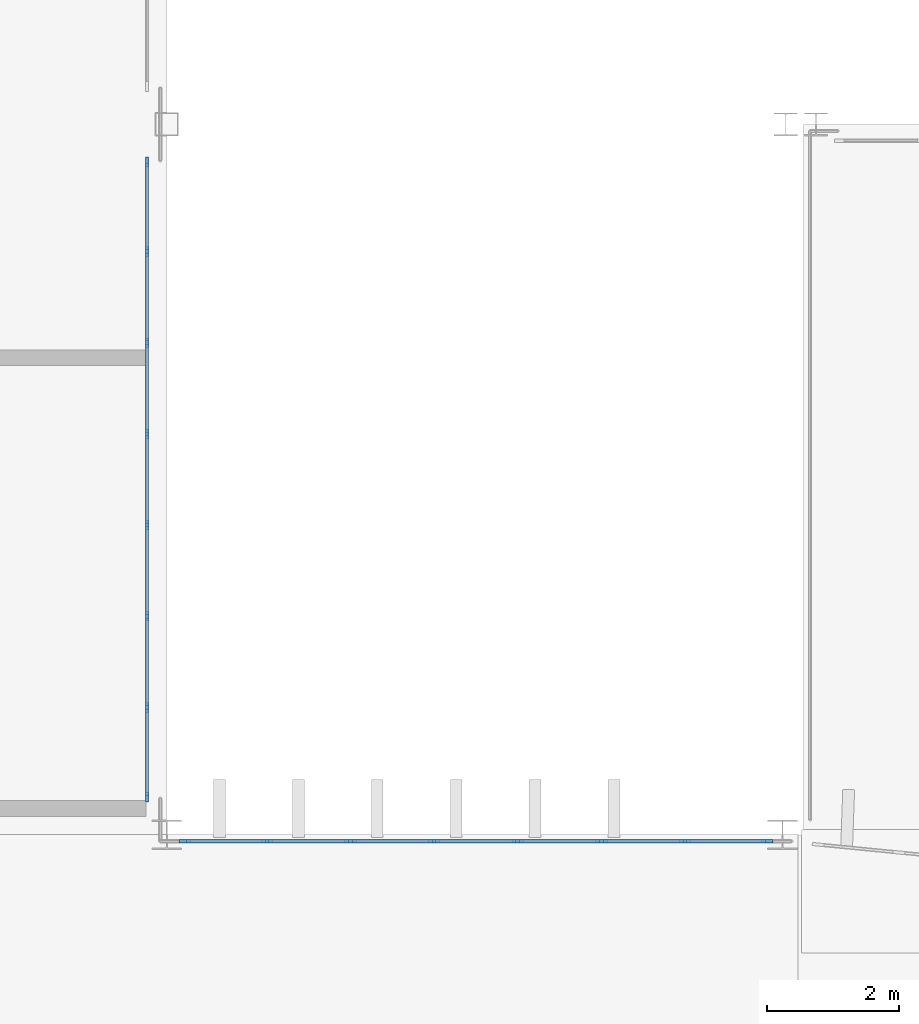
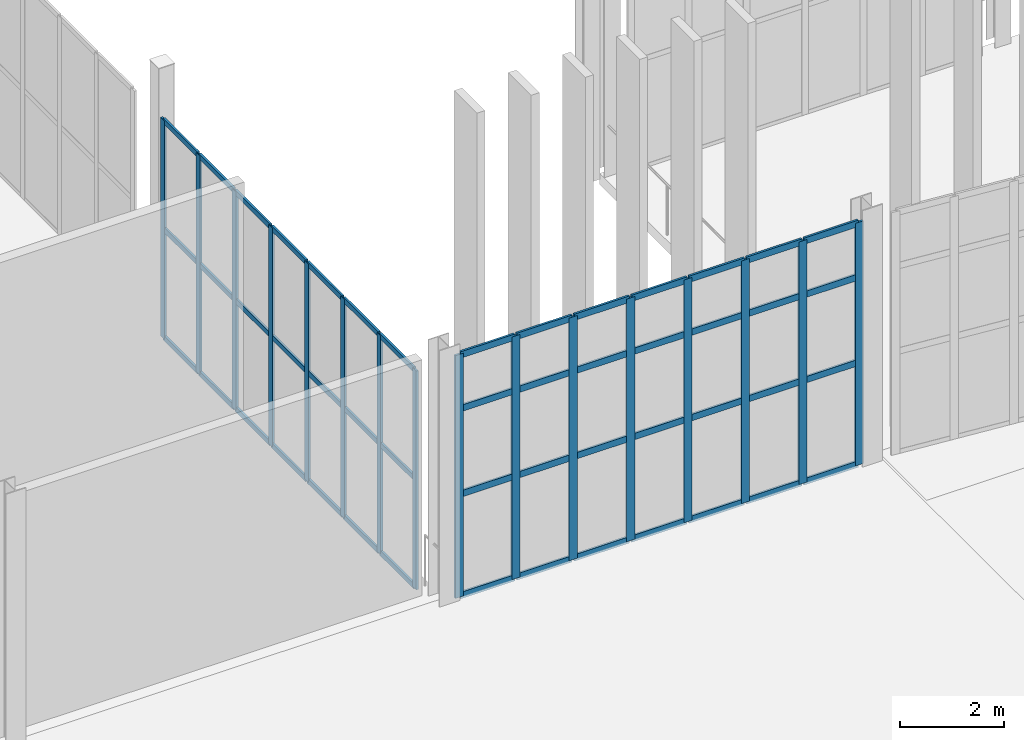
# One storey, part 61 of 139: 65 members, 2 elements without a shape of their own.
"""IFC4 building model written with IfcOpenShell, lengths in metres."""

from ifc_helpers import new_model, si_unit, direction, frame, origin, origin_2d, place, context, subcontext, project, spatial, rectangle, extrude, material, layer, layer_set, material_profile, profile_set, type_object, element, aggregate, save


model = new_model("IFC4")

# Units and contexts
model_context = context("Model", 3, precision=1e-05, world=origin(), true_north=direction((0.0, 1.0)))
body_context = subcontext(model_context, "Body", "Model", "MODEL_VIEW")
ifc_project = project(units=[si_unit("LENGTHUNIT", "METRE"), si_unit("AREAUNIT", "SQUARE_METRE"), si_unit("VOLUMEUNIT", "CUBIC_METRE"), si_unit("PLANEANGLEUNIT", "RADIAN"), si_unit("MASSUNIT", "GRAM", prefix="KILO")], contexts=[model_context])

# Site, building, storey
site_placement = place(None, origin())
site = spatial("IfcSite", under=ifc_project, at=site_placement, CompositionType="ELEMENT")
building_placement = place(site_placement, origin())
building = spatial("IfcBuilding", under=site, at=building_placement, Name="Yeouljin Market Hall", CompositionType="ELEMENT")
storey_placement = place(building_placement, origin())
storey = spatial("IfcBuildingStorey", under=building, at=storey_placement, Name="L00", CompositionType="ELEMENT", Elevation=0.0)

# Curtain wall, members
ifc_material_1 = material(Name="Thermally Broken Aluminium", Category="aluminium")
ifc_layer_1 = layer(ifc_material_1, 0.14990234375)
ifc_layer_set_1 = layer_set([ifc_layer_1], Name="Thermally Broken Aluminium")
curtain_wall_type_1 = type_object("IfcCurtainWallType", Name="CW_WingStorefront_System", PredefinedType="USERDEFINED", material=ifc_layer_set_1)
curtain_wall_1_placement = place(storey_placement, origin())
curtain_wall_1 = element("IfcCurtainWall", 1, at=curtain_wall_1_placement, inside=storey, type_object=curtain_wall_type_1, Name="Curtain wall CW-CRT-L00-20", ObjectType="CURTAIN WALL", PredefinedType="USERDEFINED")
ifc_material_2 = material(Name="Thermally Broken Aluminium", Category="aluminium")
ifc_material_profile_1 = material_profile(ifc_material_2, rectangle(XDim=0.048095703125, YDim=0.14990234375, at=origin_2d()), Name="CW-MULL-48x150")
ifc_profile_set_1 = profile_set([ifc_material_profile_1], Name="Thermally Broken Aluminium")
member_type_1 = type_object("IfcMemberType", Name="CWMullion_48x150", PredefinedType="MULLION", material=ifc_profile_set_1)
member_1_placement = place(storey_placement, frame((131.10009765625, 88.22607421875, 0.0), z_axis=(0.0, 0.0, 1.0), x_axis=(1.0, 0.0, 0.0)))
member_1 = element("IfcMember", 2, at=member_1_placement, type_object=member_type_1, Name="CW-04 mullion 1", PredefinedType="MULLION", context=body_context, shape_type="SweptSolid", body=[
    extrude(rectangle(XDim=0.048095703125, YDim=0.14990234375, at=origin_2d()), origin(), (0.0, 0.0, 1.0), 5.1201171875),
])
member_2_placement = place(storey_placement, frame((131.10009765625, 86.8642578125, 0.0), z_axis=(0.0, 0.0, 1.0), x_axis=(1.0, 0.0, 0.0)))
member_2 = element("IfcMember", 3, at=member_2_placement, type_object=member_type_1, Name="CW-04 mullion 2", PredefinedType="MULLION", context=body_context, shape_type="SweptSolid", body=[
    extrude(rectangle(XDim=0.048095703125, YDim=0.14990234375, at=origin_2d()), origin(), (0.0, 0.0, 1.0), 5.1201171875),
])
member_3_placement = place(storey_placement, frame((131.10009765625, 85.478515625, 0.0), z_axis=(0.0, 0.0, 1.0), x_axis=(1.0, 0.0, 0.0)))
member_3 = element("IfcMember", 4, at=member_3_placement, type_object=member_type_1, Name="CW-04 mullion 3", PredefinedType="MULLION", context=body_context, shape_type="SweptSolid", body=[
    extrude(rectangle(XDim=0.048095703125, YDim=0.14990234375, at=origin_2d()), origin(), (0.0, 0.0, 1.0), 5.1201171875),
])
member_4_placement = place(storey_placement, frame((131.10009765625, 84.0927734375, 0.0), z_axis=(0.0, 0.0, 1.0), x_axis=(1.0, 0.0, 0.0)))
member_4 = element("IfcMember", 5, at=member_4_placement, type_object=member_type_1, Name="CW-04 mullion 4", PredefinedType="MULLION", context=body_context, shape_type="SweptSolid", body=[
    extrude(rectangle(XDim=0.048095703125, YDim=0.14990234375, at=origin_2d()), origin(), (0.0, 0.0, 1.0), 5.1201171875),
])
member_5_placement = place(storey_placement, frame((131.10009765625, 82.70703125, 0.0), z_axis=(0.0, 0.0, 1.0), x_axis=(1.0, 0.0, 0.0)))
member_5 = element("IfcMember", 6, at=member_5_placement, type_object=member_type_1, Name="CW-04 mullion 5", PredefinedType="MULLION", context=body_context, shape_type="SweptSolid", body=[
    extrude(rectangle(XDim=0.048095703125, YDim=0.14990234375, at=origin_2d()), origin(), (0.0, 0.0, 1.0), 5.1201171875),
])
member_6_placement = place(storey_placement, frame((131.10009765625, 81.321533203125, 0.0), z_axis=(0.0, 0.0, 1.0), x_axis=(1.0, 0.0, 0.0)))
member_6 = element("IfcMember", 7, at=member_6_placement, type_object=member_type_1, Name="CW-04 mullion 6", PredefinedType="MULLION", context=body_context, shape_type="SweptSolid", body=[
    extrude(rectangle(XDim=0.048095703125, YDim=0.14990234375, at=origin_2d()), origin(), (0.0, 0.0, 1.0), 5.1201171875),
])
member_7_placement = place(storey_placement, frame((131.10009765625, 79.935791015625, 0.0), z_axis=(0.0, 0.0, 1.0), x_axis=(1.0, 0.0, 0.0)))
member_7 = element("IfcMember", 8, at=member_7_placement, type_object=member_type_1, Name="CW-04 mullion 7", PredefinedType="MULLION", context=body_context, shape_type="SweptSolid", body=[
    extrude(rectangle(XDim=0.048095703125, YDim=0.14990234375, at=origin_2d()), origin(), (0.0, 0.0, 1.0), 5.1201171875),
])
member_8_placement = place(storey_placement, frame((131.10009765625, 78.573974609375, 0.0), z_axis=(0.0, 0.0, 1.0), x_axis=(1.0, 0.0, 0.0)))
member_8 = element("IfcMember", 9, at=member_8_placement, type_object=member_type_1, Name="CW-04 mullion 8", PredefinedType="MULLION", context=body_context, shape_type="SweptSolid", body=[
    extrude(rectangle(XDim=0.048095703125, YDim=0.14990234375, at=origin_2d()), origin(), (0.0, 0.0, 1.0), 5.1201171875),
])

ifc_material_3 = material(Name="Thermally Broken Aluminium", Category="aluminium")
ifc_layer_2 = layer(ifc_material_3, 0.179931640625)
ifc_layer_set_2 = layer_set([ifc_layer_2], Name="Thermally Broken Aluminium")
curtain_wall_type_2 = type_object("IfcCurtainWallType", Name="CW_HallNave_System", PredefinedType="USERDEFINED", material=ifc_layer_set_2)
curtain_wall_2_placement = place(storey_placement, origin())
curtain_wall_2 = element("IfcCurtainWall", 10, at=curtain_wall_2_placement, inside=storey, type_object=curtain_wall_type_2, Name="Curtain wall CW-V1N-L00-11", ObjectType="CURTAIN WALL", PredefinedType="USERDEFINED")
ifc_material_4 = material(Name="Thermally Broken Aluminium", Category="aluminium")
ifc_material_profile_2 = material_profile(ifc_material_4, rectangle(XDim=0.048095703125, YDim=0.179931640625, at=origin_2d()), Name="CW-MULL-48x180")
ifc_profile_set_2 = profile_set([ifc_material_profile_2], Name="Thermally Broken Aluminium")
member_type_2 = type_object("IfcMemberType", Name="CWMullion_48x180", PredefinedType="MULLION", material=ifc_profile_set_2)
member_9_placement = place(storey_placement, frame((131.674072265625, 77.89990234375, 0.0), z_axis=(0.0, 0.0, 1.0), x_axis=(0.0, 1.0, 0.0)))
member_9 = element("IfcMember", 11, at=member_9_placement, type_object=member_type_2, Name="CW-01 mullion 1", PredefinedType="MULLION", context=body_context, shape_type="SweptSolid", body=[
    extrude(rectangle(XDim=0.048095703125, YDim=0.179931640625, at=origin_2d()), origin(), (0.0, 0.0, 1.0), 5.679931640625),
])
member_10_placement = place(storey_placement, frame((132.92138671875, 77.89990234375, 0.0), z_axis=(0.0, 0.0, 1.0), x_axis=(0.0, 1.0, 0.0)))
member_10 = element("IfcMember", 12, at=member_10_placement, type_object=member_type_2, Name="CW-01 mullion 2", PredefinedType="MULLION", context=body_context, shape_type="SweptSolid", body=[
    extrude(rectangle(XDim=0.048095703125, YDim=0.179931640625, at=origin_2d()), origin(), (0.0, 0.0, 1.0), 5.679931640625),
])
member_11_placement = place(storey_placement, frame((134.19287109375, 77.89990234375, 0.0), z_axis=(0.0, 0.0, 1.0), x_axis=(0.0, 1.0, 0.0)))
member_11 = element("IfcMember", 13, at=member_11_placement, type_object=member_type_2, Name="CW-01 mullion 3", PredefinedType="MULLION", context=body_context, shape_type="SweptSolid", body=[
    extrude(rectangle(XDim=0.048095703125, YDim=0.179931640625, at=origin_2d()), origin(), (0.0, 0.0, 1.0), 5.679931640625),
])
member_12_placement = place(storey_placement, frame((135.46435546875, 77.89990234375, 0.0), z_axis=(0.0, 0.0, 1.0), x_axis=(0.0, 1.0, 0.0)))
member_12 = element("IfcMember", 14, at=member_12_placement, type_object=member_type_2, Name="CW-01 mullion 4", PredefinedType="MULLION", context=body_context, shape_type="SweptSolid", body=[
    extrude(rectangle(XDim=0.048095703125, YDim=0.179931640625, at=origin_2d()), origin(), (0.0, 0.0, 1.0), 5.679931640625),
])
member_13_placement = place(storey_placement, frame((136.735595703125, 77.89990234375, 0.0), z_axis=(0.0, 0.0, 1.0), x_axis=(0.0, 1.0, 0.0)))
member_13 = element("IfcMember", 15, at=member_13_placement, type_object=member_type_2, Name="CW-01 mullion 5", PredefinedType="MULLION", context=body_context, shape_type="SweptSolid", body=[
    extrude(rectangle(XDim=0.048095703125, YDim=0.179931640625, at=origin_2d()), origin(), (0.0, 0.0, 1.0), 5.679931640625),
])
member_14_placement = place(storey_placement, frame((138.007080078125, 77.89990234375, 0.0), z_axis=(0.0, 0.0, 1.0), x_axis=(0.0, 1.0, 0.0)))
member_14 = element("IfcMember", 16, at=member_14_placement, type_object=member_type_2, Name="CW-01 mullion 6", PredefinedType="MULLION", context=body_context, shape_type="SweptSolid", body=[
    extrude(rectangle(XDim=0.048095703125, YDim=0.179931640625, at=origin_2d()), origin(), (0.0, 0.0, 1.0), 5.679931640625),
])
member_15_placement = place(storey_placement, frame((139.278564453125, 77.89990234375, 0.0), z_axis=(0.0, 0.0, 1.0), x_axis=(0.0, 1.0, 0.0)))
member_15 = element("IfcMember", 17, at=member_15_placement, type_object=member_type_2, Name="CW-01 mullion 7", PredefinedType="MULLION", context=body_context, shape_type="SweptSolid", body=[
    extrude(rectangle(XDim=0.048095703125, YDim=0.179931640625, at=origin_2d()), origin(), (0.0, 0.0, 1.0), 5.679931640625),
])
member_16_placement = place(storey_placement, frame((140.52587890625, 77.89990234375, 0.0), z_axis=(0.0, 0.0, 1.0), x_axis=(0.0, 1.0, 0.0)))
member_16 = element("IfcMember", 18, at=member_16_placement, type_object=member_type_2, Name="CW-01 mullion 8", PredefinedType="MULLION", context=body_context, shape_type="SweptSolid", body=[
    extrude(rectangle(XDim=0.048095703125, YDim=0.179931640625, at=origin_2d()), origin(), (0.0, 0.0, 1.0), 5.679931640625),
])

# Member
ifc_material_5 = material(Name="Thermally Broken Aluminium", Category="aluminium")
ifc_material_profile_3 = material_profile(ifc_material_5, rectangle(XDim=0.048095703125, YDim=0.1201171875, at=origin_2d()), Name="CW-TRAN-48x120")
ifc_profile_set_3 = profile_set([ifc_material_profile_3], Name="Thermally Broken Aluminium")
member_type_3 = type_object("IfcMemberType", Name="CWTransom_48x120", PredefinedType="USERDEFINED", material=ifc_profile_set_3)
member_17_placement = place(storey_placement, frame((131.10009765625, 88.201904296875, 0.02392578125), z_axis=(0.0, -1.0, 0.0), x_axis=(1.0, 0.0, 0.0)))
member_17 = element("IfcMember", 19, at=member_17_placement, type_object=member_type_3, Name="CW-04 transom 1.1", ObjectType="TRANSOM", PredefinedType="USERDEFINED", context=body_context, shape_type="SweptSolid", body=[
    extrude(rectangle(XDim=0.048095703125, YDim=0.1201171875, at=origin_2d()), origin(), (0.0, 0.0, 1.0), 1.313720703125),
])

member_18_placement = place(storey_placement, frame((131.10009765625, 88.201904296875, 2.56005859375), z_axis=(0.0, -1.0, 0.0), x_axis=(1.0, 0.0, 0.0)))
member_18 = element("IfcMember", 20, at=member_18_placement, type_object=member_type_3, Name="CW-04 transom 1.2", ObjectType="TRANSOM", PredefinedType="USERDEFINED", context=body_context, shape_type="SweptSolid", body=[
    extrude(rectangle(XDim=0.048095703125, YDim=0.1201171875, at=origin_2d()), origin(), (0.0, 0.0, 1.0), 1.313720703125),
])

member_19_placement = place(storey_placement, frame((131.10009765625, 88.201904296875, 5.095947265625), z_axis=(0.0, -1.0, 0.0), x_axis=(1.0, 0.0, 0.0)))
member_19 = element("IfcMember", 21, at=member_19_placement, type_object=member_type_3, Name="CW-04 transom 1.3", ObjectType="TRANSOM", PredefinedType="USERDEFINED", context=body_context, shape_type="SweptSolid", body=[
    extrude(rectangle(XDim=0.048095703125, YDim=0.1201171875, at=origin_2d()), origin(), (0.0, 0.0, 1.0), 1.313720703125),
])

member_20_placement = place(storey_placement, frame((131.10009765625, 86.84033203125, 0.02392578125), z_axis=(0.0, -1.0, 0.0), x_axis=(1.0, 0.0, 0.0)))
member_20 = element("IfcMember", 22, at=member_20_placement, type_object=member_type_3, Name="CW-04 transom 2.1", ObjectType="TRANSOM", PredefinedType="USERDEFINED", context=body_context, shape_type="SweptSolid", body=[
    extrude(rectangle(XDim=0.048095703125, YDim=0.1201171875, at=origin_2d()), origin(), (0.0, 0.0, 1.0), 1.337646484375),
])

member_21_placement = place(storey_placement, frame((131.10009765625, 86.84033203125, 2.56005859375), z_axis=(0.0, -1.0, 0.0), x_axis=(1.0, 0.0, 0.0)))
member_21 = element("IfcMember", 23, at=member_21_placement, type_object=member_type_3, Name="CW-04 transom 2.2", ObjectType="TRANSOM", PredefinedType="USERDEFINED", context=body_context, shape_type="SweptSolid", body=[
    extrude(rectangle(XDim=0.048095703125, YDim=0.1201171875, at=origin_2d()), origin(), (0.0, 0.0, 1.0), 1.337646484375),
])

member_22_placement = place(storey_placement, frame((131.10009765625, 86.84033203125, 5.095947265625), z_axis=(0.0, -1.0, 0.0), x_axis=(1.0, 0.0, 0.0)))
member_22 = element("IfcMember", 24, at=member_22_placement, type_object=member_type_3, Name="CW-04 transom 2.3", ObjectType="TRANSOM", PredefinedType="USERDEFINED", context=body_context, shape_type="SweptSolid", body=[
    extrude(rectangle(XDim=0.048095703125, YDim=0.1201171875, at=origin_2d()), origin(), (0.0, 0.0, 1.0), 1.337646484375),
])

member_23_placement = place(storey_placement, frame((131.10009765625, 85.45458984375, 0.02392578125), z_axis=(0.0, -1.0, 0.0), x_axis=(1.0, 0.0, 0.0)))
member_23 = element("IfcMember", 25, at=member_23_placement, type_object=member_type_3, Name="CW-04 transom 3.1", ObjectType="TRANSOM", PredefinedType="USERDEFINED", context=body_context, shape_type="SweptSolid", body=[
    extrude(rectangle(XDim=0.048095703125, YDim=0.1201171875, at=origin_2d()), origin(), (0.0, 0.0, 1.0), 1.337646484375),
])

member_24_placement = place(storey_placement, frame((131.10009765625, 85.45458984375, 2.56005859375), z_axis=(0.0, -1.0, 0.0), x_axis=(1.0, 0.0, 0.0)))
member_24 = element("IfcMember", 26, at=member_24_placement, type_object=member_type_3, Name="CW-04 transom 3.2", ObjectType="TRANSOM", PredefinedType="USERDEFINED", context=body_context, shape_type="SweptSolid", body=[
    extrude(rectangle(XDim=0.048095703125, YDim=0.1201171875, at=origin_2d()), origin(), (0.0, 0.0, 1.0), 1.337646484375),
])

member_25_placement = place(storey_placement, frame((131.10009765625, 85.45458984375, 5.095947265625), z_axis=(0.0, -1.0, 0.0), x_axis=(1.0, 0.0, 0.0)))
member_25 = element("IfcMember", 27, at=member_25_placement, type_object=member_type_3, Name="CW-04 transom 3.3", ObjectType="TRANSOM", PredefinedType="USERDEFINED", context=body_context, shape_type="SweptSolid", body=[
    extrude(rectangle(XDim=0.048095703125, YDim=0.1201171875, at=origin_2d()), origin(), (0.0, 0.0, 1.0), 1.337646484375),
])

member_26_placement = place(storey_placement, frame((131.10009765625, 84.06884765625, 0.02392578125), z_axis=(0.0, -1.0, 0.0), x_axis=(1.0, 0.0, 0.0)))
member_26 = element("IfcMember", 28, at=member_26_placement, type_object=member_type_3, Name="CW-04 transom 4.1", ObjectType="TRANSOM", PredefinedType="USERDEFINED", context=body_context, shape_type="SweptSolid", body=[
    extrude(rectangle(XDim=0.048095703125, YDim=0.1201171875, at=origin_2d()), origin(), (0.0, 0.0, 1.0), 1.337646484375),
])

member_27_placement = place(storey_placement, frame((131.10009765625, 84.06884765625, 2.56005859375), z_axis=(0.0, -1.0, 0.0), x_axis=(1.0, 0.0, 0.0)))
member_27 = element("IfcMember", 29, at=member_27_placement, type_object=member_type_3, Name="CW-04 transom 4.2", ObjectType="TRANSOM", PredefinedType="USERDEFINED", context=body_context, shape_type="SweptSolid", body=[
    extrude(rectangle(XDim=0.048095703125, YDim=0.1201171875, at=origin_2d()), origin(), (0.0, 0.0, 1.0), 1.337646484375),
])

member_28_placement = place(storey_placement, frame((131.10009765625, 84.06884765625, 5.095947265625), z_axis=(0.0, -1.0, 0.0), x_axis=(1.0, 0.0, 0.0)))
member_28 = element("IfcMember", 30, at=member_28_placement, type_object=member_type_3, Name="CW-04 transom 4.3", ObjectType="TRANSOM", PredefinedType="USERDEFINED", context=body_context, shape_type="SweptSolid", body=[
    extrude(rectangle(XDim=0.048095703125, YDim=0.1201171875, at=origin_2d()), origin(), (0.0, 0.0, 1.0), 1.337646484375),
])

member_29_placement = place(storey_placement, frame((131.10009765625, 82.68310546875, 0.02392578125), z_axis=(0.0, -1.0, 0.0), x_axis=(1.0, 0.0, 0.0)))
member_29 = element("IfcMember", 31, at=member_29_placement, type_object=member_type_3, Name="CW-04 transom 5.1", ObjectType="TRANSOM", PredefinedType="USERDEFINED", context=body_context, shape_type="SweptSolid", body=[
    extrude(rectangle(XDim=0.048095703125, YDim=0.1201171875, at=origin_2d()), origin(), (0.0, 0.0, 1.0), 1.337646484375),
])

member_30_placement = place(storey_placement, frame((131.10009765625, 82.68310546875, 2.56005859375), z_axis=(0.0, -1.0, 0.0), x_axis=(1.0, 0.0, 0.0)))
member_30 = element("IfcMember", 32, at=member_30_placement, type_object=member_type_3, Name="CW-04 transom 5.2", ObjectType="TRANSOM", PredefinedType="USERDEFINED", context=body_context, shape_type="SweptSolid", body=[
    extrude(rectangle(XDim=0.048095703125, YDim=0.1201171875, at=origin_2d()), origin(), (0.0, 0.0, 1.0), 1.337646484375),
])

member_31_placement = place(storey_placement, frame((131.10009765625, 82.68310546875, 5.095947265625), z_axis=(0.0, -1.0, 0.0), x_axis=(1.0, 0.0, 0.0)))
member_31 = element("IfcMember", 33, at=member_31_placement, type_object=member_type_3, Name="CW-04 transom 5.3", ObjectType="TRANSOM", PredefinedType="USERDEFINED", context=body_context, shape_type="SweptSolid", body=[
    extrude(rectangle(XDim=0.048095703125, YDim=0.1201171875, at=origin_2d()), origin(), (0.0, 0.0, 1.0), 1.337646484375),
])

member_32_placement = place(storey_placement, frame((131.10009765625, 81.29736328125, 0.02392578125), z_axis=(0.0, -1.0, 0.0), x_axis=(1.0, 0.0, 0.0)))
member_32 = element("IfcMember", 34, at=member_32_placement, type_object=member_type_3, Name="CW-04 transom 6.1", ObjectType="TRANSOM", PredefinedType="USERDEFINED", context=body_context, shape_type="SweptSolid", body=[
    extrude(rectangle(XDim=0.048095703125, YDim=0.1201171875, at=origin_2d()), origin(), (0.0, 0.0, 1.0), 1.337646484375),
])

member_33_placement = place(storey_placement, frame((131.10009765625, 81.29736328125, 2.56005859375), z_axis=(0.0, -1.0, 0.0), x_axis=(1.0, 0.0, 0.0)))
member_33 = element("IfcMember", 35, at=member_33_placement, type_object=member_type_3, Name="CW-04 transom 6.2", ObjectType="TRANSOM", PredefinedType="USERDEFINED", context=body_context, shape_type="SweptSolid", body=[
    extrude(rectangle(XDim=0.048095703125, YDim=0.1201171875, at=origin_2d()), origin(), (0.0, 0.0, 1.0), 1.337646484375),
])

member_34_placement = place(storey_placement, frame((131.10009765625, 81.29736328125, 5.095947265625), z_axis=(0.0, -1.0, 0.0), x_axis=(1.0, 0.0, 0.0)))
member_34 = element("IfcMember", 36, at=member_34_placement, type_object=member_type_3, Name="CW-04 transom 6.3", ObjectType="TRANSOM", PredefinedType="USERDEFINED", context=body_context, shape_type="SweptSolid", body=[
    extrude(rectangle(XDim=0.048095703125, YDim=0.1201171875, at=origin_2d()), origin(), (0.0, 0.0, 1.0), 1.337646484375),
])

member_35_placement = place(storey_placement, frame((131.10009765625, 79.91162109375, 0.02392578125), z_axis=(0.0, -1.0, 0.0), x_axis=(1.0, 0.0, 0.0)))
member_35 = element("IfcMember", 37, at=member_35_placement, type_object=member_type_3, Name="CW-04 transom 7.1", ObjectType="TRANSOM", PredefinedType="USERDEFINED", context=body_context, shape_type="SweptSolid", body=[
    extrude(rectangle(XDim=0.048095703125, YDim=0.1201171875, at=origin_2d()), origin(), (0.0, 0.0, 1.0), 1.313720703125),
])

member_36_placement = place(storey_placement, frame((131.10009765625, 79.91162109375, 2.56005859375), z_axis=(0.0, -1.0, 0.0), x_axis=(1.0, 0.0, 0.0)))
member_36 = element("IfcMember", 38, at=member_36_placement, type_object=member_type_3, Name="CW-04 transom 7.2", ObjectType="TRANSOM", PredefinedType="USERDEFINED", context=body_context, shape_type="SweptSolid", body=[
    extrude(rectangle(XDim=0.048095703125, YDim=0.1201171875, at=origin_2d()), origin(), (0.0, 0.0, 1.0), 1.313720703125),
])

member_37_placement = place(storey_placement, frame((131.10009765625, 79.91162109375, 5.095947265625), z_axis=(0.0, -1.0, 0.0), x_axis=(1.0, 0.0, 0.0)))
member_37 = element("IfcMember", 39, at=member_37_placement, type_object=member_type_3, Name="CW-04 transom 7.3", ObjectType="TRANSOM", PredefinedType="USERDEFINED", context=body_context, shape_type="SweptSolid", body=[
    extrude(rectangle(XDim=0.048095703125, YDim=0.1201171875, at=origin_2d()), origin(), (0.0, 0.0, 1.0), 1.313720703125),
])

aggregate(curtain_wall_1, [member_1, member_2, member_3, member_4, member_5, member_6, member_7, member_8, member_17, member_18, member_19, member_20, member_21, member_22, member_23, member_24, member_25, member_26, member_27, member_28, member_29, member_30, member_31, member_32, member_33, member_34, member_35, member_36, member_37])

ifc_material_6 = material(Name="Thermally Broken Aluminium", Category="aluminium")
ifc_material_profile_4 = material_profile(ifc_material_6, rectangle(XDim=0.048095703125, YDim=0.14990234375, at=origin_2d()), Name="CW-TRAN-48x150")
ifc_profile_set_4 = profile_set([ifc_material_profile_4], Name="Thermally Broken Aluminium")
member_type_4 = type_object("IfcMemberType", Name="CWTransom_48x150", PredefinedType="USERDEFINED", material=ifc_profile_set_4)
member_38_placement = place(storey_placement, frame((131.697998046875, 77.89990234375, 0.02392578125), z_axis=(1.0, 0.0, 0.0), x_axis=(0.0, 1.0, 0.0)))
member_38 = element("IfcMember", 40, at=member_38_placement, type_object=member_type_4, Name="CW-01 transom 1.1", ObjectType="TRANSOM", PredefinedType="USERDEFINED", context=body_context, shape_type="SweptSolid", body=[
    extrude(rectangle(XDim=0.048095703125, YDim=0.14990234375, at=origin_2d()), origin(), (0.0, 0.0, 1.0), 1.199462890625),
])

member_39_placement = place(storey_placement, frame((131.697998046875, 77.89990234375, 2.39990234375), z_axis=(1.0, 0.0, 0.0), x_axis=(0.0, 1.0, 0.0)))
member_39 = element("IfcMember", 41, at=member_39_placement, type_object=member_type_4, Name="CW-01 transom 1.2", ObjectType="TRANSOM", PredefinedType="USERDEFINED", context=body_context, shape_type="SweptSolid", body=[
    extrude(rectangle(XDim=0.048095703125, YDim=0.14990234375, at=origin_2d()), origin(), (0.0, 0.0, 1.0), 1.199462890625),
])

member_40_placement = place(storey_placement, frame((131.697998046875, 77.89990234375, 4.39990234375), z_axis=(1.0, 0.0, 0.0), x_axis=(0.0, 1.0, 0.0)))
member_40 = element("IfcMember", 42, at=member_40_placement, type_object=member_type_4, Name="CW-01 transom 1.3", ObjectType="TRANSOM", PredefinedType="USERDEFINED", context=body_context, shape_type="SweptSolid", body=[
    extrude(rectangle(XDim=0.048095703125, YDim=0.14990234375, at=origin_2d()), origin(), (0.0, 0.0, 1.0), 1.199462890625),
])

member_41_placement = place(storey_placement, frame((131.697998046875, 77.89990234375, 5.656005859375), z_axis=(1.0, 0.0, 0.0), x_axis=(0.0, 1.0, 0.0)))
member_41 = element("IfcMember", 43, at=member_41_placement, type_object=member_type_4, Name="CW-01 transom 1.4", ObjectType="TRANSOM", PredefinedType="USERDEFINED", context=body_context, shape_type="SweptSolid", body=[
    extrude(rectangle(XDim=0.048095703125, YDim=0.14990234375, at=origin_2d()), origin(), (0.0, 0.0, 1.0), 1.199462890625),
])

member_42_placement = place(storey_placement, frame((132.9453125, 77.89990234375, 0.02392578125), z_axis=(1.0, 0.0, 0.0), x_axis=(0.0, 1.0, 0.0)))
member_42 = element("IfcMember", 44, at=member_42_placement, type_object=member_type_4, Name="CW-01 transom 2.1", ObjectType="TRANSOM", PredefinedType="USERDEFINED", context=body_context, shape_type="SweptSolid", body=[
    extrude(rectangle(XDim=0.048095703125, YDim=0.14990234375, at=origin_2d()), origin(), (0.0, 0.0, 1.0), 1.2236328125),
])

member_43_placement = place(storey_placement, frame((132.9453125, 77.89990234375, 2.39990234375), z_axis=(1.0, 0.0, 0.0), x_axis=(0.0, 1.0, 0.0)))
member_43 = element("IfcMember", 45, at=member_43_placement, type_object=member_type_4, Name="CW-01 transom 2.2", ObjectType="TRANSOM", PredefinedType="USERDEFINED", context=body_context, shape_type="SweptSolid", body=[
    extrude(rectangle(XDim=0.048095703125, YDim=0.14990234375, at=origin_2d()), origin(), (0.0, 0.0, 1.0), 1.2236328125),
])

member_44_placement = place(storey_placement, frame((132.9453125, 77.89990234375, 4.39990234375), z_axis=(1.0, 0.0, 0.0), x_axis=(0.0, 1.0, 0.0)))
member_44 = element("IfcMember", 46, at=member_44_placement, type_object=member_type_4, Name="CW-01 transom 2.3", ObjectType="TRANSOM", PredefinedType="USERDEFINED", context=body_context, shape_type="SweptSolid", body=[
    extrude(rectangle(XDim=0.048095703125, YDim=0.14990234375, at=origin_2d()), origin(), (0.0, 0.0, 1.0), 1.2236328125),
])

member_45_placement = place(storey_placement, frame((132.9453125, 77.89990234375, 5.656005859375), z_axis=(1.0, 0.0, 0.0), x_axis=(0.0, 1.0, 0.0)))
member_45 = element("IfcMember", 47, at=member_45_placement, type_object=member_type_4, Name="CW-01 transom 2.4", ObjectType="TRANSOM", PredefinedType="USERDEFINED", context=body_context, shape_type="SweptSolid", body=[
    extrude(rectangle(XDim=0.048095703125, YDim=0.14990234375, at=origin_2d()), origin(), (0.0, 0.0, 1.0), 1.2236328125),
])

member_46_placement = place(storey_placement, frame((134.216796875, 77.89990234375, 0.02392578125), z_axis=(1.0, 0.0, 0.0), x_axis=(0.0, 1.0, 0.0)))
member_46 = element("IfcMember", 48, at=member_46_placement, type_object=member_type_4, Name="CW-01 transom 3.1", ObjectType="TRANSOM", PredefinedType="USERDEFINED", context=body_context, shape_type="SweptSolid", body=[
    extrude(rectangle(XDim=0.048095703125, YDim=0.14990234375, at=origin_2d()), origin(), (0.0, 0.0, 1.0), 1.223388671875),
])

member_47_placement = place(storey_placement, frame((134.216796875, 77.89990234375, 2.39990234375), z_axis=(1.0, 0.0, 0.0), x_axis=(0.0, 1.0, 0.0)))
member_47 = element("IfcMember", 49, at=member_47_placement, type_object=member_type_4, Name="CW-01 transom 3.2", ObjectType="TRANSOM", PredefinedType="USERDEFINED", context=body_context, shape_type="SweptSolid", body=[
    extrude(rectangle(XDim=0.048095703125, YDim=0.14990234375, at=origin_2d()), origin(), (0.0, 0.0, 1.0), 1.223388671875),
])

member_48_placement = place(storey_placement, frame((134.216796875, 77.89990234375, 4.39990234375), z_axis=(1.0, 0.0, 0.0), x_axis=(0.0, 1.0, 0.0)))
member_48 = element("IfcMember", 50, at=member_48_placement, type_object=member_type_4, Name="CW-01 transom 3.3", ObjectType="TRANSOM", PredefinedType="USERDEFINED", context=body_context, shape_type="SweptSolid", body=[
    extrude(rectangle(XDim=0.048095703125, YDim=0.14990234375, at=origin_2d()), origin(), (0.0, 0.0, 1.0), 1.223388671875),
])

member_49_placement = place(storey_placement, frame((134.216796875, 77.89990234375, 5.656005859375), z_axis=(1.0, 0.0, 0.0), x_axis=(0.0, 1.0, 0.0)))
member_49 = element("IfcMember", 51, at=member_49_placement, type_object=member_type_4, Name="CW-01 transom 3.4", ObjectType="TRANSOM", PredefinedType="USERDEFINED", context=body_context, shape_type="SweptSolid", body=[
    extrude(rectangle(XDim=0.048095703125, YDim=0.14990234375, at=origin_2d()), origin(), (0.0, 0.0, 1.0), 1.223388671875),
])

member_50_placement = place(storey_placement, frame((135.48828125, 77.89990234375, 0.02392578125), z_axis=(1.0, 0.0, 0.0), x_axis=(0.0, 1.0, 0.0)))
member_50 = element("IfcMember", 52, at=member_50_placement, type_object=member_type_4, Name="CW-01 transom 4.1", ObjectType="TRANSOM", PredefinedType="USERDEFINED", context=body_context, shape_type="SweptSolid", body=[
    extrude(rectangle(XDim=0.048095703125, YDim=0.14990234375, at=origin_2d()), origin(), (0.0, 0.0, 1.0), 1.223388671875),
])

member_51_placement = place(storey_placement, frame((135.48828125, 77.89990234375, 2.39990234375), z_axis=(1.0, 0.0, 0.0), x_axis=(0.0, 1.0, 0.0)))
member_51 = element("IfcMember", 53, at=member_51_placement, type_object=member_type_4, Name="CW-01 transom 4.2", ObjectType="TRANSOM", PredefinedType="USERDEFINED", context=body_context, shape_type="SweptSolid", body=[
    extrude(rectangle(XDim=0.048095703125, YDim=0.14990234375, at=origin_2d()), origin(), (0.0, 0.0, 1.0), 1.223388671875),
])

member_52_placement = place(storey_placement, frame((135.48828125, 77.89990234375, 4.39990234375), z_axis=(1.0, 0.0, 0.0), x_axis=(0.0, 1.0, 0.0)))
member_52 = element("IfcMember", 54, at=member_52_placement, type_object=member_type_4, Name="CW-01 transom 4.3", ObjectType="TRANSOM", PredefinedType="USERDEFINED", context=body_context, shape_type="SweptSolid", body=[
    extrude(rectangle(XDim=0.048095703125, YDim=0.14990234375, at=origin_2d()), origin(), (0.0, 0.0, 1.0), 1.223388671875),
])

member_53_placement = place(storey_placement, frame((135.48828125, 77.89990234375, 5.656005859375), z_axis=(1.0, 0.0, 0.0), x_axis=(0.0, 1.0, 0.0)))
member_53 = element("IfcMember", 55, at=member_53_placement, type_object=member_type_4, Name="CW-01 transom 4.4", ObjectType="TRANSOM", PredefinedType="USERDEFINED", context=body_context, shape_type="SweptSolid", body=[
    extrude(rectangle(XDim=0.048095703125, YDim=0.14990234375, at=origin_2d()), origin(), (0.0, 0.0, 1.0), 1.223388671875),
])

member_54_placement = place(storey_placement, frame((136.759765625, 77.89990234375, 0.02392578125), z_axis=(1.0, 0.0, 0.0), x_axis=(0.0, 1.0, 0.0)))
member_54 = element("IfcMember", 56, at=member_54_placement, type_object=member_type_4, Name="CW-01 transom 5.1", ObjectType="TRANSOM", PredefinedType="USERDEFINED", context=body_context, shape_type="SweptSolid", body=[
    extrude(rectangle(XDim=0.048095703125, YDim=0.14990234375, at=origin_2d()), origin(), (0.0, 0.0, 1.0), 1.223388671875),
])

member_55_placement = place(storey_placement, frame((136.759765625, 77.89990234375, 2.39990234375), z_axis=(1.0, 0.0, 0.0), x_axis=(0.0, 1.0, 0.0)))
member_55 = element("IfcMember", 57, at=member_55_placement, type_object=member_type_4, Name="CW-01 transom 5.2", ObjectType="TRANSOM", PredefinedType="USERDEFINED", context=body_context, shape_type="SweptSolid", body=[
    extrude(rectangle(XDim=0.048095703125, YDim=0.14990234375, at=origin_2d()), origin(), (0.0, 0.0, 1.0), 1.223388671875),
])

member_56_placement = place(storey_placement, frame((136.759765625, 77.89990234375, 4.39990234375), z_axis=(1.0, 0.0, 0.0), x_axis=(0.0, 1.0, 0.0)))
member_56 = element("IfcMember", 58, at=member_56_placement, type_object=member_type_4, Name="CW-01 transom 5.3", ObjectType="TRANSOM", PredefinedType="USERDEFINED", context=body_context, shape_type="SweptSolid", body=[
    extrude(rectangle(XDim=0.048095703125, YDim=0.14990234375, at=origin_2d()), origin(), (0.0, 0.0, 1.0), 1.223388671875),
])

member_57_placement = place(storey_placement, frame((136.759765625, 77.89990234375, 5.656005859375), z_axis=(1.0, 0.0, 0.0), x_axis=(0.0, 1.0, 0.0)))
member_57 = element("IfcMember", 59, at=member_57_placement, type_object=member_type_4, Name="CW-01 transom 5.4", ObjectType="TRANSOM", PredefinedType="USERDEFINED", context=body_context, shape_type="SweptSolid", body=[
    extrude(rectangle(XDim=0.048095703125, YDim=0.14990234375, at=origin_2d()), origin(), (0.0, 0.0, 1.0), 1.223388671875),
])

member_58_placement = place(storey_placement, frame((138.03125, 77.89990234375, 0.02392578125), z_axis=(1.0, 0.0, 0.0), x_axis=(0.0, 1.0, 0.0)))
member_58 = element("IfcMember", 60, at=member_58_placement, type_object=member_type_4, Name="CW-01 transom 6.1", ObjectType="TRANSOM", PredefinedType="USERDEFINED", context=body_context, shape_type="SweptSolid", body=[
    extrude(rectangle(XDim=0.048095703125, YDim=0.14990234375, at=origin_2d()), origin(), (0.0, 0.0, 1.0), 1.223388671875),
])

member_59_placement = place(storey_placement, frame((138.03125, 77.89990234375, 2.39990234375), z_axis=(1.0, 0.0, 0.0), x_axis=(0.0, 1.0, 0.0)))
member_59 = element("IfcMember", 61, at=member_59_placement, type_object=member_type_4, Name="CW-01 transom 6.2", ObjectType="TRANSOM", PredefinedType="USERDEFINED", context=body_context, shape_type="SweptSolid", body=[
    extrude(rectangle(XDim=0.048095703125, YDim=0.14990234375, at=origin_2d()), origin(), (0.0, 0.0, 1.0), 1.223388671875),
])

member_60_placement = place(storey_placement, frame((138.03125, 77.89990234375, 4.39990234375), z_axis=(1.0, 0.0, 0.0), x_axis=(0.0, 1.0, 0.0)))
member_60 = element("IfcMember", 62, at=member_60_placement, type_object=member_type_4, Name="CW-01 transom 6.3", ObjectType="TRANSOM", PredefinedType="USERDEFINED", context=body_context, shape_type="SweptSolid", body=[
    extrude(rectangle(XDim=0.048095703125, YDim=0.14990234375, at=origin_2d()), origin(), (0.0, 0.0, 1.0), 1.223388671875),
])

member_61_placement = place(storey_placement, frame((138.03125, 77.89990234375, 5.656005859375), z_axis=(1.0, 0.0, 0.0), x_axis=(0.0, 1.0, 0.0)))
member_61 = element("IfcMember", 63, at=member_61_placement, type_object=member_type_4, Name="CW-01 transom 6.4", ObjectType="TRANSOM", PredefinedType="USERDEFINED", context=body_context, shape_type="SweptSolid", body=[
    extrude(rectangle(XDim=0.048095703125, YDim=0.14990234375, at=origin_2d()), origin(), (0.0, 0.0, 1.0), 1.223388671875),
])

member_62_placement = place(storey_placement, frame((139.302490234375, 77.89990234375, 0.02392578125), z_axis=(1.0, 0.0, 0.0), x_axis=(0.0, 1.0, 0.0)))
member_62 = element("IfcMember", 64, at=member_62_placement, type_object=member_type_4, Name="CW-01 transom 7.1", ObjectType="TRANSOM", PredefinedType="USERDEFINED", context=body_context, shape_type="SweptSolid", body=[
    extrude(rectangle(XDim=0.048095703125, YDim=0.14990234375, at=origin_2d()), origin(), (0.0, 0.0, 1.0), 1.199462890625),
])

member_63_placement = place(storey_placement, frame((139.302490234375, 77.89990234375, 2.39990234375), z_axis=(1.0, 0.0, 0.0), x_axis=(0.0, 1.0, 0.0)))
member_63 = element("IfcMember", 65, at=member_63_placement, type_object=member_type_4, Name="CW-01 transom 7.2", ObjectType="TRANSOM", PredefinedType="USERDEFINED", context=body_context, shape_type="SweptSolid", body=[
    extrude(rectangle(XDim=0.048095703125, YDim=0.14990234375, at=origin_2d()), origin(), (0.0, 0.0, 1.0), 1.199462890625),
])

member_64_placement = place(storey_placement, frame((139.302490234375, 77.89990234375, 4.39990234375), z_axis=(1.0, 0.0, 0.0), x_axis=(0.0, 1.0, 0.0)))
member_64 = element("IfcMember", 66, at=member_64_placement, type_object=member_type_4, Name="CW-01 transom 7.3", ObjectType="TRANSOM", PredefinedType="USERDEFINED", context=body_context, shape_type="SweptSolid", body=[
    extrude(rectangle(XDim=0.048095703125, YDim=0.14990234375, at=origin_2d()), origin(), (0.0, 0.0, 1.0), 1.199462890625),
])

member_65_placement = place(storey_placement, frame((139.302490234375, 77.89990234375, 5.656005859375), z_axis=(1.0, 0.0, 0.0), x_axis=(0.0, 1.0, 0.0)))
member_65 = element("IfcMember", 67, at=member_65_placement, type_object=member_type_4, Name="CW-01 transom 7.4", ObjectType="TRANSOM", PredefinedType="USERDEFINED", context=body_context, shape_type="SweptSolid", body=[
    extrude(rectangle(XDim=0.048095703125, YDim=0.14990234375, at=origin_2d()), origin(), (0.0, 0.0, 1.0), 1.199462890625),
])

aggregate(curtain_wall_2, [member_9, member_10, member_11, member_12, member_13, member_14, member_15, member_16, member_38, member_39, member_40, member_41, member_42, member_43, member_44, member_45, member_46, member_47, member_48, member_49, member_50, member_51, member_52, member_53, member_54, member_55, member_56, member_57, member_58, member_59, member_60, member_61, member_62, member_63, member_64, member_65])

save(model, "model.ifc")
